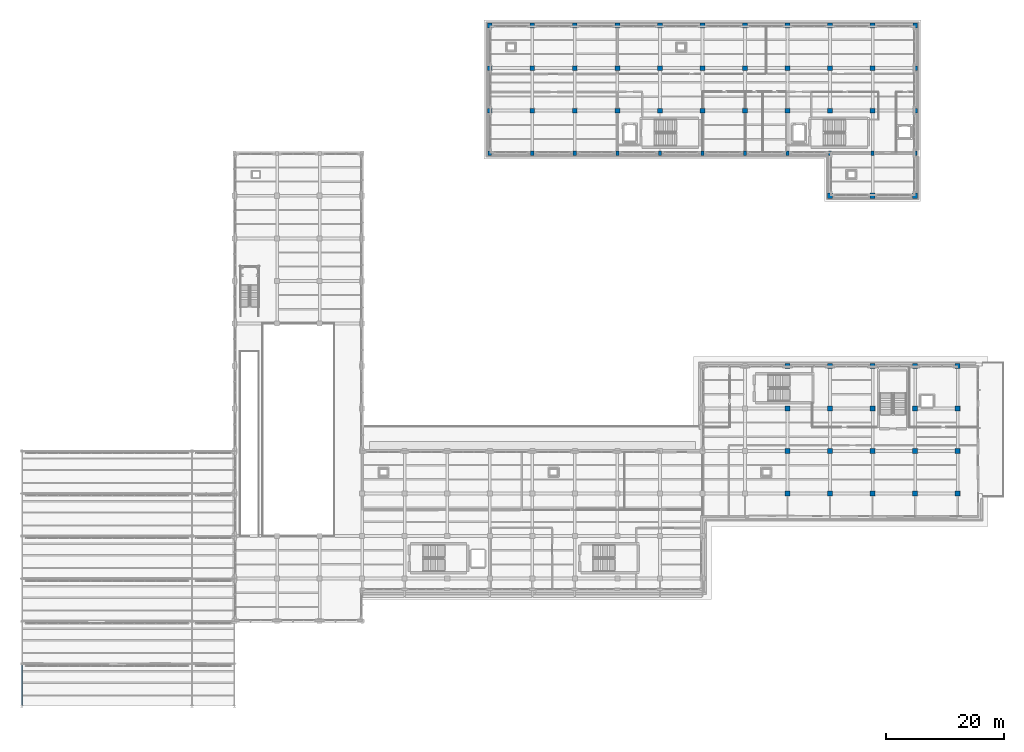
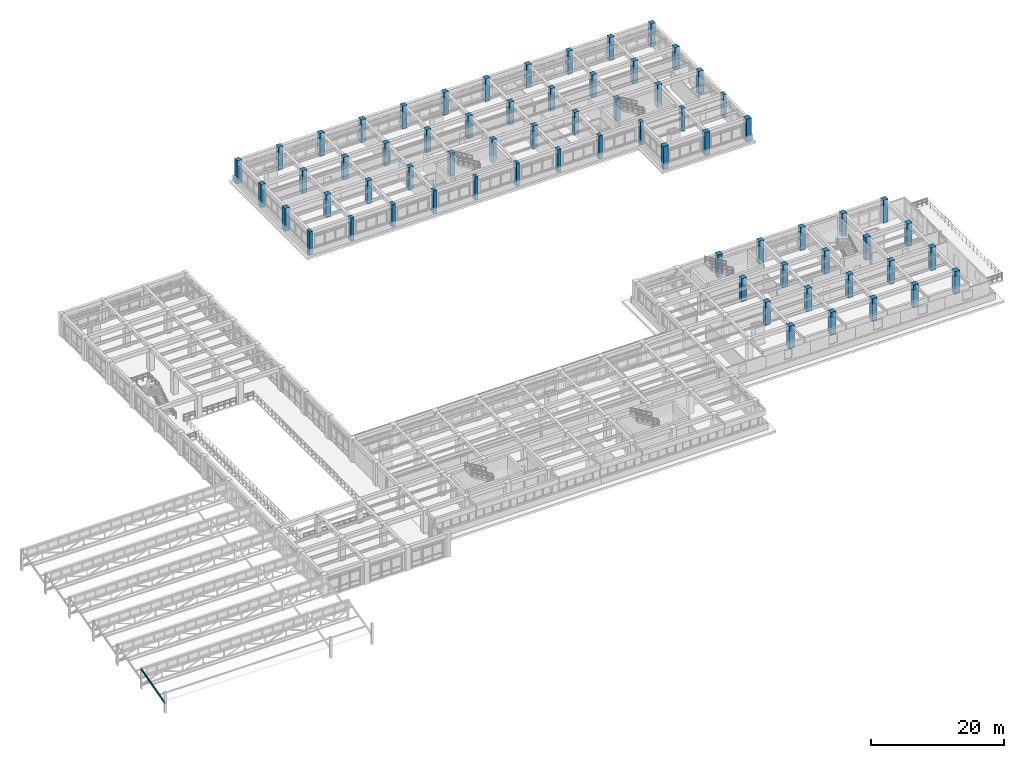
# One storey, part 6 of 98: 67 columns, 1 beam.
"""IFC4 building model written with IfcOpenShell, lengths in metres."""

import ifcopenshell
import ifcopenshell.guid

model = None  # the IFC model being written
_history = None  # IfcOwnerHistory: only IFC2X3 demands one
_inside = {}  # id of a spatial element -> (the spatial element, [elements in it])
_under = {}  # id of a project, library or spatial element -> (it, [spatial elements below it])
_declared = {}  # id of a project -> (the project, [libraries it declares])
_typed = {}  # id of a type object -> (the type object, [elements of that type])
_made_of = {}  # id of a material, layer set ... -> (it, [elements and type objects made of it])


def new_model(schema):
    """Start an empty IFC model of exactly this schema.

    Asked for "IFC4X3", IfcOpenShell would pick the latest addendum, in which some entities
    have other attributes; the version numbers below select the first issue.
    IFC2X3 requires an IfcOwnerHistory on every rooted entity: one is made here for all.
    """
    global model, _history
    if schema == "IFC4X3":
        model = ifcopenshell.file(schema_version=(4, 3, 0, 0))
    else:
        model = ifcopenshell.file(schema=schema)
    _inside.clear()
    _under.clear()
    _declared.clear()
    _typed.clear()
    _made_of.clear()
    _history = None
    if model.schema == "IFC2X3":
        org = make("IfcOrganization", Name="unknown")
        user = make(
            "IfcPersonAndOrganization",
            ThePerson=make("IfcPerson", FamilyName="unknown"),
            TheOrganization=org,
        )
        app = make(
            "IfcApplication",
            ApplicationDeveloper=org,
            Version="unknown",
            ApplicationFullName="unknown",
            ApplicationIdentifier="unknown",
        )
        _history = make(
            "IfcOwnerHistory",
            OwningUser=user,
            OwningApplication=app,
            ChangeAction="ADDED",
            CreationDate=0,
        )
    return model


def make(cls, **values):
    """One entity of the class cls with the attributes given. An attribute that is None is left unset."""
    return model.create_entity(
        cls, **{name: value for name, value in values.items() if value is not None}
    )


def rooted(cls, **values):
    """An entity with a GlobalId (a new one), such as an element, a storey or a relation."""
    return make(cls, GlobalId=ifcopenshell.guid.new(), OwnerHistory=_history, **values)


def si_unit(unit_type, name, prefix=None):
    """IfcSIUnit, for example si_unit("LENGTHUNIT", "METRE", prefix="MILLI")."""
    return make("IfcSIUnit", UnitType=unit_type, Prefix=prefix, Name=name)


def assignment(units):
    """IfcUnitAssignment: the units of a project."""
    return None if units is None else make("IfcUnitAssignment", Units=units)


def point(xyz):
    """IfcCartesianPoint."""
    return None if xyz is None else make("IfcCartesianPoint", Coordinates=xyz)


def direction(xyz):
    """IfcDirection."""
    return None if xyz is None else make("IfcDirection", DirectionRatios=xyz)


def frame(location, z_axis=None, x_axis=None):
    """IfcAxis2Placement3D, a coordinate frame: its origin and axes. An axis left out is left unset."""
    return make(
        "IfcAxis2Placement3D",
        Location=point(location),
        Axis=direction(z_axis),
        RefDirection=direction(x_axis),
    )


def frame_2d(location, x_axis=None):
    """IfcAxis2Placement2D, a coordinate frame in the plane: its origin and x axis."""
    return make(
        "IfcAxis2Placement2D", Location=point(location), RefDirection=direction(x_axis)
    )


def origin():
    """The frame at (0, 0, 0) with its axes left unset."""
    return frame((0.0, 0.0, 0.0))


def origin_2d():
    """The frame at (0, 0) in the plane with its x axis left unset."""
    return frame_2d((0.0, 0.0))


def place(relative_to, where):
    """IfcLocalPlacement: puts the frame where relative to a parent placement (None: the world)."""
    return make(
        "IfcLocalPlacement", PlacementRelTo=relative_to, RelativePlacement=where
    )


def context(
    kind, dimensions, precision=None, world=None, true_north=None, identifier=None
):
    """IfcGeometricRepresentationContext, for example the 3D "Model" context."""
    return make(
        "IfcGeometricRepresentationContext",
        ContextIdentifier=identifier,
        ContextType=kind,
        CoordinateSpaceDimension=dimensions,
        Precision=precision,
        WorldCoordinateSystem=world,
        TrueNorth=true_north,
    )


def subcontext(parent, identifier, kind, view, scale=None):
    """IfcGeometricRepresentationSubContext, for example "Body" below "Model"."""
    return make(
        "IfcGeometricRepresentationSubContext",
        ContextIdentifier=identifier,
        ContextType=kind,
        ParentContext=parent,
        TargetScale=scale,
        TargetView=view,
    )


def project(units=None, contexts=None):
    """IfcProject with its units and contexts."""
    return rooted(
        "IfcProject",
        Name="project",
        RepresentationContexts=contexts,
        UnitsInContext=assignment(units),
    )


def spatial(cls, under=None, at=None, **own):
    """A site, building, storey or space (cls), placed at a placement, below another one or the project."""
    s = rooted(cls, ObjectPlacement=at, **own)
    if under is not None:
        _under.setdefault(under.id(), (under, []))[1].append(s)
    return s


def profile(cls, at=None, kind="AREA", **sizes):
    """A parametric profile (cls). Its sizes go by their IFC names, for example OverallWidth=200.0."""
    return make(cls, ProfileType=kind, Position=at, **sizes)


def rectangle(**sizes):
    """IfcRectangleProfileDef."""
    return profile("IfcRectangleProfileDef", **sizes)


def hollow_rectangle(**sizes):
    """IfcRectangleHollowProfileDef."""
    return profile("IfcRectangleHollowProfileDef", **sizes)


def extrude(swept, where, along, depth):
    """IfcExtrudedAreaSolid: the profile swept, set in the frame where, extruded along a direction by depth."""
    return make(
        "IfcExtrudedAreaSolid",
        SweptArea=swept,
        Position=where,
        ExtrudedDirection=direction(along),
        Depth=depth,
    )


def shape(context_of_items, identifier, shape_type, items):
    """IfcShapeRepresentation: the items that make up one representation, for example the "Body"."""
    return make(
        "IfcShapeRepresentation",
        ContextOfItems=context_of_items,
        RepresentationIdentifier=identifier,
        RepresentationType=shape_type,
        Items=items,
    )


def material(Name=None, Category=None):
    """IfcMaterial."""
    return make("IfcMaterial", Name=Name, Category=Category)


def material_profile(
    of_material, cross_section, Name=None, Category=None, Priority=None
):
    """IfcMaterialProfile: a cross section and its material."""
    return make(
        "IfcMaterialProfile",
        Name=Name,
        Material=of_material,
        Profile=cross_section,
        Priority=Priority,
        Category=Category,
    )


def profile_set(profiles, Name=None, composite=None):
    """IfcMaterialProfileSet."""
    return make(
        "IfcMaterialProfileSet",
        Name=Name,
        MaterialProfiles=profiles,
        CompositeProfile=composite,
    )


def made_of(thing, what):
    """Note that an element or type object is made of a material, layer set ...; save() writes the relation."""
    if what is not None:
        _made_of.setdefault(what.id(), (what, []))[1].append(thing)
    return thing


def type_object(cls, material=None, **own):
    """A type object (cls), such as IfcWallType, which elements share."""
    return made_of(rooted(cls, **own), material)


def element(
    cls,
    number,
    at=None,
    inside=None,
    cuts=None,
    type_object=None,
    material=None,
    context=None,
    identifier="Body",
    shape_type=None,
    held_by="IfcProductDefinitionShape",
    body=None,
    shapes=None,
    **own,
):
    """One element of the class cls, such as IfcWall. Its Tag is "e" and its number.

    at: its placement. inside: the storey or other place that contains it. cuts: it is an
    opening in that element (IfcRelVoidsElement). A single representation is given by context,
    identifier, shape_type and body (its items); several are given by shapes. held_by: the class
    of the entity that holds the representations. save() writes the other relations.
    """
    e = rooted(cls, Tag="e%d" % number, ObjectPlacement=at, **own)
    if body is not None:
        shapes = [shape(context, identifier, shape_type, body)]
    if shapes is not None:
        e.Representation = make(held_by, Representations=shapes)
    if inside is not None:
        _inside.setdefault(inside.id(), (inside, []))[1].append(e)
    if cuts is not None:
        rooted(
            "IfcRelVoidsElement", RelatingBuildingElement=cuts, RelatedOpeningElement=e
        )
    if type_object is not None:
        _typed.setdefault(type_object.id(), (type_object, []))[1].append(e)
    return made_of(e, material)


def aggregate(whole, parts):
    """IfcRelAggregates: a whole, such as a stair, and the parts it consists of."""
    return rooted("IfcRelAggregates", RelatingObject=whole, RelatedObjects=parts)


def save(model, path):
    """Write the relations noted so far, then the file.

    IfcRelAggregates (storeys below a building ...), IfcRelContainedInSpatialStructure (elements
    in a storey), IfcRelDefinesByType, IfcRelAssociatesMaterial and IfcRelDeclares: one each for
    every whole, place, type object, material and project.
    """
    for whole, parts in _under.values():
        aggregate(whole, parts)
    for where, things in _inside.values():
        rooted(
            "IfcRelContainedInSpatialStructure",
            RelatedElements=things,
            RelatingStructure=where,
        )
    for kind, things in _typed.values():
        rooted("IfcRelDefinesByType", RelatedObjects=things, RelatingType=kind)
    for what, things in _made_of.values():
        rooted("IfcRelAssociatesMaterial", RelatedObjects=things, RelatingMaterial=what)
    for by, libraries in _declared.values():
        rooted("IfcRelDeclares", RelatingContext=by, RelatedDefinitions=libraries)
    model.write(path)


model = new_model("IFC4")

# Units and contexts
model_context = context("Model", 3, precision=1e-05, world=origin(), true_north=direction((0.0, 1.0)))
body_context = subcontext(model_context, "Body", "Model", "MODEL_VIEW")
ifc_project = project(units=[si_unit("LENGTHUNIT", "METRE"), si_unit("AREAUNIT", "SQUARE_METRE"), si_unit("VOLUMEUNIT", "CUBIC_METRE"), si_unit("PLANEANGLEUNIT", "RADIAN"), si_unit("MASSUNIT", "GRAM", prefix="KILO")], contexts=[model_context])

# Site, building, storey
site_placement = place(None, origin())
site = spatial("IfcSite", under=ifc_project, at=site_placement, CompositionType="ELEMENT")
building_placement = place(site_placement, origin())
building = spatial("IfcBuilding", under=site, at=building_placement, Name="Solenvale Faculty of Natural Sciences", CompositionType="ELEMENT")
storey_placement = place(building_placement, frame((0.0, 0.0, 9.0)))
storey = spatial("IfcBuildingStorey", under=building, at=storey_placement, Name="L02", CompositionType="ELEMENT", Elevation=9.0)

# Columns
ifc_material_1 = material(Name="Concrete 50 MPa", Category="concrete")
ifc_material_profile_1 = material_profile(ifc_material_1, rectangle(XDim=0.550048828125, YDim=0.800048828125, at=origin_2d()), Name="RC-COL-550x800")
ifc_profile_set_1 = profile_set([ifc_material_profile_1], Name="Concrete 50 MPa")
column_type_1 = type_object("IfcColumnType", Name="COL-RC-550x800", PredefinedType="COLUMN", material=ifc_profile_set_1)
for number, where, z_axis, x_axis, name in (
    (1, (79.199951171875, 93.60009765625, 0.0), (0.0, 0.0, 1.0), (1.0, 0.0, 0.0), "L02 Column (79.2, 93.6)"),
    (2, (86.39990234375, 93.60009765625, 0.0), (0.0, 0.0, 1.0), (1.0, 0.0, 0.0), "L02 Column (86.4, 93.6)"),
    (3, (93.60009765625, 93.60009765625, 0.0), (0.0, 0.0, 1.0), (1.0, 0.0, 0.0), "L02 Column (93.6, 93.6)"),
    (4, (100.800048828125, 93.60009765625, 0.0), (0.0, 0.0, 1.0), (1.0, 0.0, 0.0), "L02 Column (100.8, 93.6)"),
    (5, (108.0, 93.60009765625, 0.0), (0.0, 0.0, 1.0), (1.0, 0.0, 0.0), "L02 Column (108.0, 93.6)"),
    (6, (115.199951171875, 93.60009765625, 0.0), (0.0, 0.0, 1.0), (1.0, 0.0, 0.0), "L02 Column (115.2, 93.6)"),
    (7, (122.39990234375, 93.60009765625, 0.0), (0.0, 0.0, 1.0), (1.0, 0.0, 0.0), "L02 Column (122.4, 93.6)"),
    (8, (129.60009765625, 93.60009765625, 0.0), (0.0, 0.0, 1.0), (1.0, 0.0, 0.0), "L02 Column (129.6, 93.6)"),
    (9, (136.800048828125, 93.60009765625, 0.0), (0.0, 0.0, 1.0), (1.0, 0.0, 0.0), "L02 Column (136.8, 93.6)"),
    (10, (144.0, 93.60009765625, 0.0), (0.0, 0.0, 1.0), (1.0, 0.0, 0.0), "L02 Column (144.0, 93.6)"),
    (11, (151.199951171875, 93.60009765625, 0.0), (0.0, 0.0, 1.0), (1.0, 0.0, 0.0), "L02 Column (151.2, 93.6)"),
):
    element("IfcColumn", number, at=place(storey_placement, frame(where, z_axis=z_axis, x_axis=x_axis)), inside=storey, type_object=column_type_1, Name=name, PredefinedType="COLUMN", context=body_context, shape_type="SweptSolid", body=[
        extrude(rectangle(XDim=0.550048828125, YDim=0.800048828125, at=origin_2d()), origin(), (0.0, 0.0, 1.0), 4.219970703125),
    ])
ifc_material_profile_2 = material_profile(ifc_material_1, rectangle(XDim=0.800048828125, YDim=0.800048828125, at=origin_2d()), Name="RC-COL-800x800")
ifc_profile_set_2 = profile_set([ifc_material_profile_2], Name="Concrete 50 MPa")
column_type_2 = type_object("IfcColumnType", Name="COL-RC-800", PredefinedType="COLUMN", material=ifc_profile_set_2)
for number, where, z_axis, x_axis, name in (
    (12, (79.199951171875, 100.800048828125, 0.0), (0.0, 0.0, 1.0), (1.0, 0.0, 0.0), "L02 Column (79.2, 100.8)"),
    (13, (79.199951171875, 108.0, 0.0), (0.0, 0.0, 1.0), (1.0, 0.0, 0.0), "L02 Column (79.2, 108.0)"),
    (14, (79.199951171875, 115.199951171875, 0.0), (0.0, 0.0, 1.0), (1.0, 0.0, 0.0), "L02 Column (79.2, 115.2)"),
    (15, (86.39990234375, 100.800048828125, 0.0), (0.0, 0.0, 1.0), (1.0, 0.0, 0.0), "L02 Column (86.4, 100.8)"),
    (16, (86.39990234375, 108.0, 0.0), (0.0, 0.0, 1.0), (1.0, 0.0, 0.0), "L02 Column (86.4, 108.0)"),
    (17, (86.39990234375, 115.199951171875, 0.0), (0.0, 0.0, 1.0), (1.0, 0.0, 0.0), "L02 Column (86.4, 115.2)"),
    (18, (93.60009765625, 100.800048828125, 0.0), (0.0, 0.0, 1.0), (1.0, 0.0, 0.0), "L02 Column (93.6, 100.8)"),
    (19, (93.60009765625, 108.0, 0.0), (0.0, 0.0, 1.0), (1.0, 0.0, 0.0), "L02 Column (93.6, 108.0)"),
    (20, (93.60009765625, 115.199951171875, 0.0), (0.0, 0.0, 1.0), (1.0, 0.0, 0.0), "L02 Column (93.6, 115.2)"),
    (21, (100.800048828125, 100.800048828125, 0.0), (0.0, 0.0, 1.0), (1.0, 0.0, 0.0), "L02 Column (100.8, 100.8)"),
    (22, (100.800048828125, 108.0, 0.0), (0.0, 0.0, 1.0), (1.0, 0.0, 0.0), "L02 Column (100.8, 108.0)"),
    (23, (100.800048828125, 115.199951171875, 0.0), (0.0, 0.0, 1.0), (1.0, 0.0, 0.0), "L02 Column (100.8, 115.2)"),
    (24, (108.0, 100.800048828125, 0.0), (0.0, 0.0, 1.0), (1.0, 0.0, 0.0), "L02 Column (108.0, 100.8)"),
    (25, (108.0, 108.0, 0.0), (0.0, 0.0, 1.0), (1.0, 0.0, 0.0), "L02 Column (108.0, 108.0)"),
    (26, (108.0, 115.199951171875, 0.0), (0.0, 0.0, 1.0), (1.0, 0.0, 0.0), "L02 Column (108.0, 115.2)"),
    (27, (115.199951171875, 100.800048828125, 0.0), (0.0, 0.0, 1.0), (1.0, 0.0, 0.0), "L02 Column (115.2, 100.8)"),
    (28, (115.199951171875, 108.0, 0.0), (0.0, 0.0, 1.0), (1.0, 0.0, 0.0), "L02 Column (115.2, 108.0)"),
    (29, (115.199951171875, 115.199951171875, 0.0), (0.0, 0.0, 1.0), (1.0, 0.0, 0.0), "L02 Column (115.2, 115.2)"),
    (30, (122.39990234375, 100.800048828125, 0.0), (0.0, 0.0, 1.0), (1.0, 0.0, 0.0), "L02 Column (122.4, 100.8)"),
    (31, (122.39990234375, 108.0, 0.0), (0.0, 0.0, 1.0), (1.0, 0.0, 0.0), "L02 Column (122.4, 108.0)"),
    (32, (122.39990234375, 115.199951171875, 0.0), (0.0, 0.0, 1.0), (1.0, 0.0, 0.0), "L02 Column (122.4, 115.2)"),
    (33, (129.60009765625, 100.800048828125, 0.0), (0.0, 0.0, 1.0), (1.0, 0.0, 0.0), "L02 Column (129.6, 100.8)"),
    (34, (129.60009765625, 108.0, 0.0), (0.0, 0.0, 1.0), (1.0, 0.0, 0.0), "L02 Column (129.6, 108.0)"),
    (35, (129.60009765625, 115.199951171875, 0.0), (0.0, 0.0, 1.0), (1.0, 0.0, 0.0), "L02 Column (129.6, 115.2)"),
    (36, (136.800048828125, 100.800048828125, 0.0), (0.0, 0.0, 1.0), (1.0, 0.0, 0.0), "L02 Column (136.8, 100.8)"),
    (37, (136.800048828125, 108.0, 0.0), (0.0, 0.0, 1.0), (1.0, 0.0, 0.0), "L02 Column (136.8, 108.0)"),
    (38, (136.800048828125, 115.199951171875, 0.0), (0.0, 0.0, 1.0), (1.0, 0.0, 0.0), "L02 Column (136.8, 115.2)"),
    (39, (144.0, 100.800048828125, 0.0), (0.0, 0.0, 1.0), (1.0, 0.0, 0.0), "L02 Column (144.0, 100.8)"),
    (40, (144.0, 108.0, 0.0), (0.0, 0.0, 1.0), (1.0, 0.0, 0.0), "L02 Column (144.0, 108.0)"),
    (41, (144.0, 115.199951171875, 0.0), (0.0, 0.0, 1.0), (1.0, 0.0, 0.0), "L02 Column (144.0, 115.2)"),
    (42, (151.199951171875, 100.800048828125, 0.0), (0.0, 0.0, 1.0), (1.0, 0.0, 0.0), "L02 Column (151.2, 100.8)"),
    (43, (151.199951171875, 108.0, 0.0), (0.0, 0.0, 1.0), (1.0, 0.0, 0.0), "L02 Column (151.2, 108.0)"),
    (44, (151.199951171875, 115.199951171875, 0.0), (0.0, 0.0, 1.0), (1.0, 0.0, 0.0), "L02 Column (151.2, 115.2)"),
):
    element("IfcColumn", number, at=place(storey_placement, frame(where, z_axis=z_axis, x_axis=x_axis)), inside=storey, type_object=column_type_2, Name=name, PredefinedType="COLUMN", context=body_context, shape_type="SweptSolid", body=[
        extrude(rectangle(XDim=0.800048828125, YDim=0.800048828125, at=origin_2d()), origin(), (0.0, 0.0, 1.0), 4.219970703125),
    ])
ifc_material_profile_3 = material_profile(ifc_material_1, rectangle(XDim=0.85009765625, YDim=0.85009765625, at=origin_2d()), Name="RC-COL-850x850")
ifc_profile_set_3 = profile_set([ifc_material_profile_3], Name="Concrete 50 MPa")
column_type_3 = type_object("IfcColumnType", Name="COL-RC-850", PredefinedType="COLUMN", material=ifc_profile_set_3)
for number, where, z_axis, x_axis, name in (
    (45, (129.60009765625, 36.0, 0.0), (0.0, 0.0, 1.0), (1.0, 0.0, 0.0), "L02 Column (129.6, 36.0)"),
    (46, (129.60009765625, 43.199951171875, 0.0), (0.0, 0.0, 1.0), (1.0, 0.0, 0.0), "L02 Column (129.6, 43.2)"),
    (47, (129.60009765625, 50.39990234375, 0.0), (0.0, 0.0, 1.0), (1.0, 0.0, 0.0), "L02 Column (129.6, 50.4)"),
    (48, (129.60009765625, 57.60009765625, 0.0), (0.0, 0.0, 1.0), (1.0, 0.0, 0.0), "L02 Column (129.6, 57.6)"),
    (49, (136.800048828125, 36.0, 0.0), (0.0, 0.0, 1.0), (1.0, 0.0, 0.0), "L02 Column (136.8, 36.0)"),
    (50, (136.800048828125, 43.199951171875, 0.0), (0.0, 0.0, 1.0), (1.0, 0.0, 0.0), "L02 Column (136.8, 43.2)"),
    (51, (136.800048828125, 50.39990234375, 0.0), (0.0, 0.0, 1.0), (1.0, 0.0, 0.0), "L02 Column (136.8, 50.4)"),
    (52, (136.800048828125, 57.60009765625, 0.0), (0.0, 0.0, 1.0), (1.0, 0.0, 0.0), "L02 Column (136.8, 57.6)"),
    (53, (136.800048828125, 86.39990234375, 0.0), (0.0, 0.0, 1.0), (1.0, 0.0, 0.0), "L02 Column (136.8, 86.4)"),
    (54, (144.0, 36.0, 0.0), (0.0, 0.0, 1.0), (1.0, 0.0, 0.0), "L02 Column (144.0, 36.0)"),
    (55, (144.0, 43.199951171875, 0.0), (0.0, 0.0, 1.0), (1.0, 0.0, 0.0), "L02 Column (144.0, 43.2)"),
    (56, (144.0, 50.39990234375, 0.0), (0.0, 0.0, 1.0), (1.0, 0.0, 0.0), "L02 Column (144.0, 50.4)"),
    (57, (144.0, 57.60009765625, 0.0), (0.0, 0.0, 1.0), (1.0, 0.0, 0.0), "L02 Column (144.0, 57.6)"),
    (58, (144.0, 86.39990234375, 0.0), (0.0, 0.0, 1.0), (1.0, 0.0, 0.0), "L02 Column (144.0, 86.4)"),
    (59, (151.199951171875, 36.0, 0.0), (0.0, 0.0, 1.0), (1.0, 0.0, 0.0), "L02 Column (151.2, 36.0)"),
    (60, (151.199951171875, 43.199951171875, 0.0), (0.0, 0.0, 1.0), (1.0, 0.0, 0.0), "L02 Column (151.2, 43.2)"),
    (61, (151.199951171875, 50.39990234375, 0.0), (0.0, 0.0, 1.0), (1.0, 0.0, 0.0), "L02 Column (151.2, 50.4)"),
    (62, (151.199951171875, 57.60009765625, 0.0), (0.0, 0.0, 1.0), (1.0, 0.0, 0.0), "L02 Column (151.2, 57.6)"),
    (63, (151.199951171875, 86.39990234375, 0.0), (0.0, 0.0, 1.0), (1.0, 0.0, 0.0), "L02 Column (151.2, 86.4)"),
    (64, (158.39990234375, 36.0, 0.0), (0.0, 0.0, 1.0), (1.0, 0.0, 0.0), "L02 Column (158.4, 36.0)"),
    (65, (158.39990234375, 43.199951171875, 0.0), (0.0, 0.0, 1.0), (1.0, 0.0, 0.0), "L02 Column (158.4, 43.2)"),
    (66, (158.39990234375, 50.39990234375, 0.0), (0.0, 0.0, 1.0), (1.0, 0.0, 0.0), "L02 Column (158.4, 50.4)"),
    (67, (158.39990234375, 57.60009765625, 0.0), (0.0, 0.0, 1.0), (1.0, 0.0, 0.0), "L02 Column (158.4, 57.6)"),
):
    element("IfcColumn", number, at=place(storey_placement, frame(where, z_axis=z_axis, x_axis=x_axis)), inside=storey, type_object=column_type_3, Name=name, PredefinedType="COLUMN", context=body_context, shape_type="SweptSolid", body=[
        extrude(rectangle(XDim=0.85009765625, YDim=0.85009765625, at=origin_2d()), origin(), (0.0, 0.0, 1.0), 4.219970703125),
    ])

# Beam
ifc_material_2 = material(Name="Steel S355", Category="steel")
ifc_material_profile_4 = material_profile(ifc_material_2, hollow_rectangle(XDim=0.202880859375, YDim=0.304931640625, WallThickness=0.0126953125, InnerFilletRadius=0.0126953125, OuterFilletRadius=0.025390625, at=origin_2d()), Name="HSS305x203x13")
ifc_profile_set_4 = profile_set([ifc_material_profile_4], Name="Steel S355")
beam_type = type_object("IfcBeamType", Name="BM-RAF-HSS305", PredefinedType="BEAM", material=ifc_profile_set_4)
beam_placement = place(storey_placement, frame((0.0, 0.0, 1.719970703125), z_axis=(0.0, 0.965901991803, 0.258907980238), x_axis=(-1.0, 0.0, 0.0)))
element("IfcBeam", 68, at=beam_placement, inside=storey, type_object=beam_type, Name="V1 Sawtooth End Rafter 1.1.W", PredefinedType="BEAM", context=body_context, shape_type="SweptSolid", body=[
    extrude(hollow_rectangle(XDim=0.202880859375, YDim=0.304931640625, WallThickness=0.0126953125, InnerFilletRadius=0.0126953125, OuterFilletRadius=0.025390625, at=origin_2d()), origin(), (0.0, 0.0, 1.0), 7.4541015625),
])

save(model, "model.ifc")
